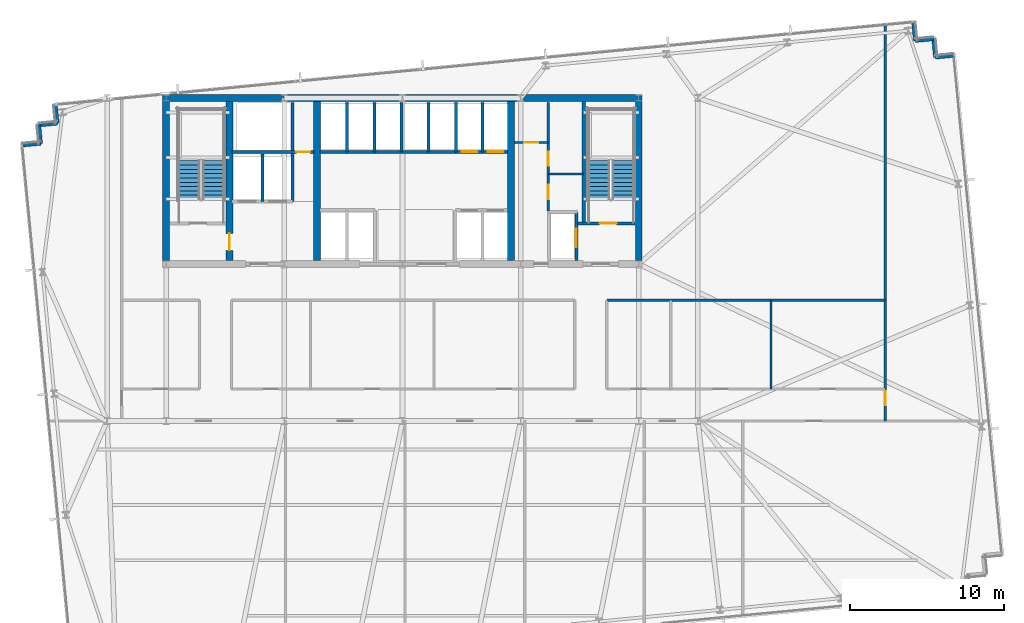
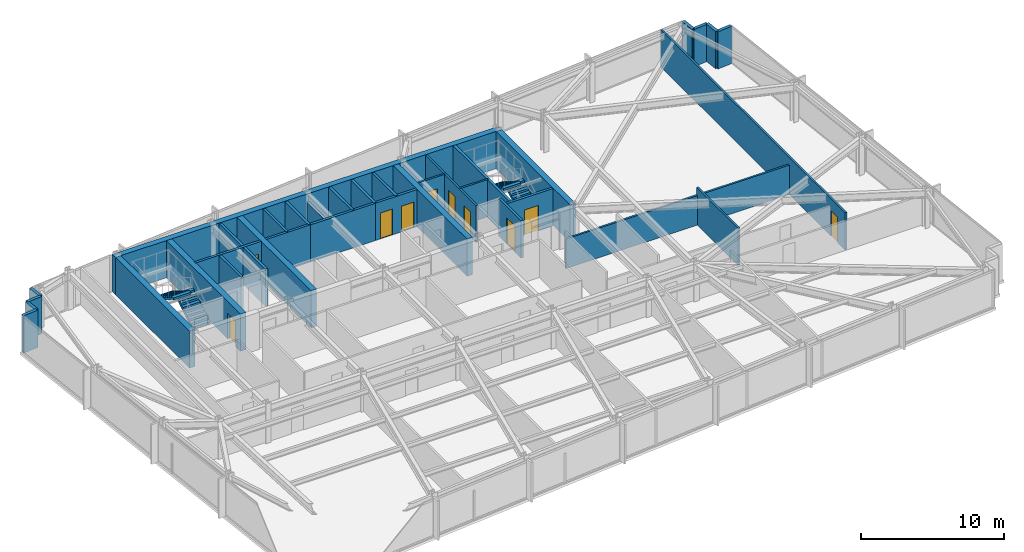
# One storey, part 26 of 32: 35 walls, 10 doors, 4 stair flights, 10 openings, 2 elements without a shape of their own.
"""IFC4 building model written with IfcOpenShell, lengths in metres."""

import ifcopenshell
import ifcopenshell.guid

model = None  # the IFC model being written
_history = None  # IfcOwnerHistory: only IFC2X3 demands one
_inside = {}  # id of a spatial element -> (the spatial element, [elements in it])
_under = {}  # id of a project, library or spatial element -> (it, [spatial elements below it])
_declared = {}  # id of a project -> (the project, [libraries it declares])
_typed = {}  # id of a type object -> (the type object, [elements of that type])
_made_of = {}  # id of a material, layer set ... -> (it, [elements and type objects made of it])


def new_model(schema):
    """Start an empty IFC model of exactly this schema.

    Asked for "IFC4X3", IfcOpenShell would pick the latest addendum, in which some entities
    have other attributes; the version numbers below select the first issue.
    IFC2X3 requires an IfcOwnerHistory on every rooted entity: one is made here for all.
    """
    global model, _history
    if schema == "IFC4X3":
        model = ifcopenshell.file(schema_version=(4, 3, 0, 0))
    else:
        model = ifcopenshell.file(schema=schema)
    _inside.clear()
    _under.clear()
    _declared.clear()
    _typed.clear()
    _made_of.clear()
    _history = None
    if model.schema == "IFC2X3":
        org = make("IfcOrganization", Name="unknown")
        user = make(
            "IfcPersonAndOrganization",
            ThePerson=make("IfcPerson", FamilyName="unknown"),
            TheOrganization=org,
        )
        app = make(
            "IfcApplication",
            ApplicationDeveloper=org,
            Version="unknown",
            ApplicationFullName="unknown",
            ApplicationIdentifier="unknown",
        )
        _history = make(
            "IfcOwnerHistory",
            OwningUser=user,
            OwningApplication=app,
            ChangeAction="ADDED",
            CreationDate=0,
        )
    return model


def make(cls, **values):
    """One entity of the class cls with the attributes given. An attribute that is None is left unset."""
    return model.create_entity(
        cls, **{name: value for name, value in values.items() if value is not None}
    )


def rooted(cls, **values):
    """An entity with a GlobalId (a new one), such as an element, a storey or a relation."""
    return make(cls, GlobalId=ifcopenshell.guid.new(), OwnerHistory=_history, **values)


def si_unit(unit_type, name, prefix=None):
    """IfcSIUnit, for example si_unit("LENGTHUNIT", "METRE", prefix="MILLI")."""
    return make("IfcSIUnit", UnitType=unit_type, Prefix=prefix, Name=name)


def assignment(units):
    """IfcUnitAssignment: the units of a project."""
    return None if units is None else make("IfcUnitAssignment", Units=units)


def point(xyz):
    """IfcCartesianPoint."""
    return None if xyz is None else make("IfcCartesianPoint", Coordinates=xyz)


def direction(xyz):
    """IfcDirection."""
    return None if xyz is None else make("IfcDirection", DirectionRatios=xyz)


def frame(location, z_axis=None, x_axis=None):
    """IfcAxis2Placement3D, a coordinate frame: its origin and axes. An axis left out is left unset."""
    return make(
        "IfcAxis2Placement3D",
        Location=point(location),
        Axis=direction(z_axis),
        RefDirection=direction(x_axis),
    )


def frame_2d(location, x_axis=None):
    """IfcAxis2Placement2D, a coordinate frame in the plane: its origin and x axis."""
    return make(
        "IfcAxis2Placement2D", Location=point(location), RefDirection=direction(x_axis)
    )


def origin():
    """The frame at (0, 0, 0) with its axes left unset."""
    return frame((0.0, 0.0, 0.0))


def place(relative_to, where):
    """IfcLocalPlacement: puts the frame where relative to a parent placement (None: the world)."""
    return make(
        "IfcLocalPlacement", PlacementRelTo=relative_to, RelativePlacement=where
    )


def context(
    kind, dimensions, precision=None, world=None, true_north=None, identifier=None
):
    """IfcGeometricRepresentationContext, for example the 3D "Model" context."""
    return make(
        "IfcGeometricRepresentationContext",
        ContextIdentifier=identifier,
        ContextType=kind,
        CoordinateSpaceDimension=dimensions,
        Precision=precision,
        WorldCoordinateSystem=world,
        TrueNorth=true_north,
    )


def subcontext(parent, identifier, kind, view, scale=None):
    """IfcGeometricRepresentationSubContext, for example "Body" below "Model"."""
    return make(
        "IfcGeometricRepresentationSubContext",
        ContextIdentifier=identifier,
        ContextType=kind,
        ParentContext=parent,
        TargetScale=scale,
        TargetView=view,
    )


def project(units=None, contexts=None):
    """IfcProject with its units and contexts."""
    return rooted(
        "IfcProject",
        Name="project",
        RepresentationContexts=contexts,
        UnitsInContext=assignment(units),
    )


def spatial(cls, under=None, at=None, **own):
    """A site, building, storey or space (cls), placed at a placement, below another one or the project."""
    s = rooted(cls, ObjectPlacement=at, **own)
    if under is not None:
        _under.setdefault(under.id(), (under, []))[1].append(s)
    return s


def polyline(points):
    """IfcPolyline through the points."""
    return make("IfcPolyline", Points=[point(p) for p in points])


def profile(cls, at=None, kind="AREA", **sizes):
    """A parametric profile (cls). Its sizes go by their IFC names, for example OverallWidth=200.0."""
    return make(cls, ProfileType=kind, Position=at, **sizes)


def rectangle(**sizes):
    """IfcRectangleProfileDef."""
    return profile("IfcRectangleProfileDef", **sizes)


def outline(outer, holes=None, kind="AREA"):
    """IfcArbitraryClosedProfileDef: a profile drawn as a closed curve; with holes, ...WithVoids."""
    if holes is None:
        return make("IfcArbitraryClosedProfileDef", ProfileType=kind, OuterCurve=outer)
    return make(
        "IfcArbitraryProfileDefWithVoids",
        ProfileType=kind,
        OuterCurve=outer,
        InnerCurves=holes,
    )


def extrude(swept, where, along, depth):
    """IfcExtrudedAreaSolid: the profile swept, set in the frame where, extruded along a direction by depth."""
    return make(
        "IfcExtrudedAreaSolid",
        SweptArea=swept,
        Position=where,
        ExtrudedDirection=direction(along),
        Depth=depth,
    )


def shape(context_of_items, identifier, shape_type, items):
    """IfcShapeRepresentation: the items that make up one representation, for example the "Body"."""
    return make(
        "IfcShapeRepresentation",
        ContextOfItems=context_of_items,
        RepresentationIdentifier=identifier,
        RepresentationType=shape_type,
        Items=items,
    )


def material(Name=None, Category=None):
    """IfcMaterial."""
    return make("IfcMaterial", Name=Name, Category=Category)


def layer(
    of_material, thickness, ventilated=None, Name=None, Category=None, Priority=None
):
    """IfcMaterialLayer: one layer of a wall or slab, of a material (None: an air gap)."""
    return make(
        "IfcMaterialLayer",
        Material=of_material,
        LayerThickness=thickness,
        IsVentilated=ventilated,
        Name=Name,
        Category=Category,
        Priority=Priority,
    )


def layer_set(layers, Name=None):
    """IfcMaterialLayerSet."""
    return make("IfcMaterialLayerSet", MaterialLayers=layers, LayerSetName=Name)


def made_of(thing, what):
    """Note that an element or type object is made of a material, layer set ...; save() writes the relation."""
    if what is not None:
        _made_of.setdefault(what.id(), (what, []))[1].append(thing)
    return thing


def type_object(cls, material=None, **own):
    """A type object (cls), such as IfcWallType, which elements share."""
    return made_of(rooted(cls, **own), material)


def element(
    cls,
    number,
    at=None,
    inside=None,
    cuts=None,
    type_object=None,
    material=None,
    context=None,
    identifier="Body",
    shape_type=None,
    held_by="IfcProductDefinitionShape",
    body=None,
    shapes=None,
    **own,
):
    """One element of the class cls, such as IfcWall. Its Tag is "e" and its number.

    at: its placement. inside: the storey or other place that contains it. cuts: it is an
    opening in that element (IfcRelVoidsElement). A single representation is given by context,
    identifier, shape_type and body (its items); several are given by shapes. held_by: the class
    of the entity that holds the representations. save() writes the other relations.
    """
    e = rooted(cls, Tag="e%d" % number, ObjectPlacement=at, **own)
    if body is not None:
        shapes = [shape(context, identifier, shape_type, body)]
    if shapes is not None:
        e.Representation = make(held_by, Representations=shapes)
    if inside is not None:
        _inside.setdefault(inside.id(), (inside, []))[1].append(e)
    if cuts is not None:
        rooted(
            "IfcRelVoidsElement", RelatingBuildingElement=cuts, RelatedOpeningElement=e
        )
    if type_object is not None:
        _typed.setdefault(type_object.id(), (type_object, []))[1].append(e)
    return made_of(e, material)


def fill(opening, filler):
    """IfcRelFillsElement: the door or window that sits in an opening."""
    return rooted(
        "IfcRelFillsElement",
        RelatingOpeningElement=opening,
        RelatedBuildingElement=filler,
    )


def aggregate(whole, parts):
    """IfcRelAggregates: a whole, such as a stair, and the parts it consists of."""
    return rooted("IfcRelAggregates", RelatingObject=whole, RelatedObjects=parts)


def save(model, path):
    """Write the relations noted so far, then the file.

    IfcRelAggregates (storeys below a building ...), IfcRelContainedInSpatialStructure (elements
    in a storey), IfcRelDefinesByType, IfcRelAssociatesMaterial and IfcRelDeclares: one each for
    every whole, place, type object, material and project.
    """
    for whole, parts in _under.values():
        aggregate(whole, parts)
    for where, things in _inside.values():
        rooted(
            "IfcRelContainedInSpatialStructure",
            RelatedElements=things,
            RelatingStructure=where,
        )
    for kind, things in _typed.values():
        rooted("IfcRelDefinesByType", RelatedObjects=things, RelatingType=kind)
    for what, things in _made_of.values():
        rooted("IfcRelAssociatesMaterial", RelatedObjects=things, RelatingMaterial=what)
    for by, libraries in _declared.values():
        rooted("IfcRelDeclares", RelatingContext=by, RelatedDefinitions=libraries)
    model.write(path)


model = new_model("IFC4")

# Units and contexts
model_context = context("Model", 3, precision=1e-05, world=origin(), true_north=direction((0.0, 1.0)))
body_context = subcontext(model_context, "Body", "Model", "MODEL_VIEW")
ifc_project = project(units=[si_unit("LENGTHUNIT", "METRE"), si_unit("AREAUNIT", "SQUARE_METRE"), si_unit("VOLUMEUNIT", "CUBIC_METRE"), si_unit("PLANEANGLEUNIT", "RADIAN"), si_unit("MASSUNIT", "GRAM", prefix="KILO")], contexts=[model_context])

# Site, building, storey
site_placement = place(None, origin())
site = spatial("IfcSite", under=ifc_project, at=site_placement, CompositionType="ELEMENT")
building_placement = place(site_placement, origin())
building = spatial("IfcBuilding", under=site, at=building_placement, Name="Yelkora Congress Tower", CompositionType="ELEMENT")
storey_placement = place(building_placement, frame((0.0, 0.0, 93.10009765625)))
storey = spatial("IfcBuildingStorey", under=building, at=storey_placement, Name="L24", CompositionType="ELEMENT", Elevation=93.10009765625)

# Walls
ifc_material_1 = material(Name="Concrete C50/60", Category="concrete")
ifc_layer_1 = layer(ifc_material_1, 0.219970703125)
ifc_layer_set_1 = layer_set([ifc_layer_1], Name="Concrete C50/60")
wall_type_1 = type_object("IfcWallType", Name="WALL-CORE-INT-220", PredefinedType="SHEAR", material=ifc_layer_set_1)
wall_1_placement = place(storey_placement, frame((50.179931640625, 38.050048828125, 0.0), z_axis=(0.0, 0.0, 1.0), x_axis=(0.0, 1.0, 0.0)))
element("IfcWall", 1, at=wall_1_placement, inside=storey, type_object=wall_type_1, Name="L24 ST02 West Stair Shear Wall", PredefinedType="SHEAR", context=body_context, shape_type="SweptSolid", body=[
    extrude(rectangle(XDim=7.925048828125, YDim=0.219970703125, at=frame_2d((3.96240234375, 0.0))), origin(), (0.0, 0.0, 1.0), 3.179931640625),
])
ifc_material_2 = material(Name="Concrete C60/75", Category="concrete")
ifc_layer_2 = layer(ifc_material_2, 0.449951171875)
ifc_layer_set_2 = layer_set([ifc_layer_2], Name="Concrete C60/75")
wall_type_2 = type_object("IfcWallType", Name="WALL-CORE-INT-450", PredefinedType="SHEAR", material=ifc_layer_set_2)
wall_2_placement = place(storey_placement, frame((22.81494140625, 46.199951171875, 0.0), z_axis=(0.0, 0.0, 1.0), x_axis=(1.0, 0.0, 0.0)))
element("IfcWall", 2, at=wall_2_placement, inside=storey, type_object=wall_type_2, Name="L24 Rear Core North Shear Wall", PredefinedType="SHEAR", context=body_context, shape_type="SweptSolid", body=[
    extrude(rectangle(XDim=31.170166015625, YDim=0.449951171875, at=frame_2d((15.5849609375, 0.0))), origin(), (0.0, 0.0, 1.0), 3.179931640625),
])
wall_3_placement = place(storey_placement, frame((23.0400390625, 35.625, 0.0), z_axis=(0.0, 0.0, 1.0), x_axis=(0.0, 1.0, 0.0)))
element("IfcWall", 3, at=wall_3_placement, inside=storey, type_object=wall_type_2, Name="L24 Rear Core Cross Shear Wall W", PredefinedType="SHEAR", context=body_context, shape_type="SweptSolid", body=[
    extrude(rectangle(XDim=10.35009765625, YDim=0.449951171875, at=frame_2d((5.175048828125, 0.0))), origin(), (0.0, 0.0, 1.0), 3.179931640625),
])

# Wall, opening, door
wall_4_placement = place(storey_placement, frame((27.14990234375, 35.625, 0.0), z_axis=(0.0, 0.0, 1.0), x_axis=(0.0, 1.0, 0.0)))
wall_4 = element("IfcWall", 4, at=wall_4_placement, inside=storey, type_object=wall_type_2, Name="L24 Rear Core Cross Shear Wall C1", PredefinedType="SHEAR", context=body_context, shape_type="SweptSolid", body=[
    extrude(rectangle(XDim=10.35009765625, YDim=0.449951171875, at=frame_2d((5.175048828125, 0.0))), origin(), (0.0, 0.0, 1.0), 3.179931640625),
])
opening_1_placement = place(wall_4_placement, frame((0.675048828125, 0.0, 0.0)))
opening_1 = element("IfcOpeningElement", 5, at=opening_1_placement, cuts=wall_4, Name="Opening DR-110F9", PredefinedType="OPENING", context=body_context, shape_type="SweptSolid", body=[
    extrude(rectangle(XDim=1.10009765625, YDim=2.14990234375, at=frame_2d((0.550048828125, 1.074951171875))), frame((0.0, 0.23486328125, 0.0), z_axis=(0.0, -1.0, 0.0), x_axis=(1.0, 0.0, 0.0)), (0.0, 0.0, 1.0), 0.469970703125),
])
ifc_material_3 = material(Name="Galvanised steel fire door leaf", Category="steel")
door_type_1 = type_object("IfcDoorType", Name="DOOR-FD90-1100", OperationType="NOTDEFINED", PredefinedType="DOOR", material=ifc_material_3)
door_1_placement = place(opening_1_placement, origin())
door_1 = element("IfcDoor", 6, at=door_1_placement, inside=storey, type_object=door_type_1, Name="L24 Firefighting Stair Transfer Door", OperationType="SINGLE_SWING_LEFT", OverallHeight=2.14990234375, OverallWidth=1.10009765625, PredefinedType="DOOR", context=body_context, shape_type="SweptSolid", body=[
    extrude(rectangle(XDim=1.10009765625, YDim=2.14990234375, at=frame_2d((0.550048828125, 1.074951171875))), frame((0.0, 0.02490234375, 0.0), z_axis=(0.0, -1.0, 0.0), x_axis=(1.0, 0.0, 0.0)), (0.0, 0.0, 1.0), 0.050048828125),
])
fill(opening_1, door_1)

# Walls
for number, where, z_axis, x_axis, name in (
    (7, (32.85009765625, 35.625, 0.0), (0.0, 0.0, 1.0), (0.0, 1.0, 0.0), "L24 Rear Core Cross Shear Wall C2"),
    (8, (45.449951171875, 35.625, 0.0), (0.0, 0.0, 1.0), (0.0, 1.0, 0.0), "L24 Rear Core Cross Shear Wall C3"),
    (9, (53.760009765625, 35.625, 0.0), (0.0, 0.0, 1.0), (0.0, 1.0, 0.0), "L24 Rear Core Cross Shear Wall E"),
):
    element("IfcWall", number, at=place(storey_placement, frame(where, z_axis=z_axis, x_axis=x_axis)), inside=storey, type_object=wall_type_2, Name=name, PredefinedType="SHEAR", context=body_context, shape_type="SweptSolid", body=[
        extrude(rectangle(XDim=10.35009765625, YDim=0.449951171875, at=frame_2d((5.175048828125, 0.0))), origin(), (0.0, 0.0, 1.0), 3.179931640625),
    ])
ifc_material_4 = material(Name="Concrete C40/50", Category="concrete")
ifc_layer_3 = layer(ifc_material_4, 0.239990234375)
ifc_layer_set_3 = layer_set([ifc_layer_3], Name="Concrete C40/50")
wall_type_3 = type_object("IfcWallType", Name="WALL-EXT-LIMESTONE-240", PredefinedType="SOLIDWALL", material=ifc_layer_set_3)
for number, where, z_axis, x_axis, name in (
    (10, (13.69091796875, 43.126708984375, 0.0), (0.0, 0.0, 1.0), (0.995398960025, 0.095817067274, 0.0), "L24 Serrated Corner Limestone Pier 6"),
    (11, (14.885498046875, 43.24169921875, 0.0), (0.0, 0.0, 1.0), (-0.095817067274, 0.995398960025, 0.0), "L24 Serrated Corner Limestone Pier 7"),
):
    element("IfcWall", number, at=place(storey_placement, frame(where, z_axis=z_axis, x_axis=x_axis)), inside=storey, type_object=wall_type_3, Name=name, PredefinedType="SOLIDWALL", context=body_context, shape_type="SweptSolid", body=[
        extrude(rectangle(XDim=1.2001953125, YDim=0.239990234375, at=frame_2d((0.60009765625, 0.0))), origin(), (0.0, 0.0, 1.0), 3.179931640625),
    ])
for number, where, z_axis, x_axis, name in (
    (12, (14.7705078125, 44.436279296875, 0.0), (0.0, 0.0, 1.0), (0.995397091755, 0.095836473879, 0.0), "L24 Serrated Corner Limestone Pier 8"),
    (13, (15.96484375, 44.55126953125, 0.0), (0.0, 0.0, 1.0), (-0.095836473879, 0.995397091755, 0.0), "L24 Serrated Corner Limestone Pier 9"),
):
    element("IfcWall", number, at=place(storey_placement, frame(where, z_axis=z_axis, x_axis=x_axis)), inside=storey, type_object=wall_type_3, Name=name, PredefinedType="SOLIDWALL", context=body_context, shape_type="SweptSolid", body=[
        extrude(rectangle(XDim=1.199951171875, YDim=0.239990234375, at=frame_2d((0.60009765625, 0.0))), origin(), (0.0, 0.0, 1.0), 3.179931640625),
    ])
for number, where, z_axis, x_axis, name in (
    (14, (71.61181640625, 51.114990234375, 0.0), (0.0, 0.0, 1.0), (0.095817067274, -0.995398960025, 0.0), "L24 Serrated Corner Limestone Pier 11"),
    (15, (71.726806640625, 49.92041015625, 0.0), (0.0, 0.0, 1.0), (0.995398960025, 0.095817067274, 0.0), "L24 Serrated Corner Limestone Pier 12"),
    (16, (72.92138671875, 50.035400390625, 0.0), (0.0, 0.0, 1.0), (0.095817067274, -0.995398960025, 0.0), "L24 Serrated Corner Limestone Pier 13"),
    (17, (73.036376953125, 48.8408203125, 0.0), (0.0, 0.0, 1.0), (0.995379537303, 0.096018626938, 0.0), "L24 Serrated Corner Limestone Pier 14"),
):
    element("IfcWall", number, at=place(storey_placement, frame(where, z_axis=z_axis, x_axis=x_axis)), inside=storey, type_object=wall_type_3, Name=name, PredefinedType="SOLIDWALL", context=body_context, shape_type="SweptSolid", body=[
        extrude(rectangle(XDim=1.2001953125, YDim=0.239990234375, at=frame_2d((0.60009765625, 0.0))), origin(), (0.0, 0.0, 1.0), 3.179931640625),
    ])

# Wall, opening, door
ifc_material_5 = material(Name="Acoustic metal-stud gypsum partition", Category="gypsum")
ifc_layer_4 = layer(ifc_material_5, 0.14990234375)
ifc_layer_set_4 = layer_set([ifc_layer_4], Name="Acoustic metal-stud gypsum partition")
wall_type_4 = type_object("IfcWallType", Name="WALL-INT-150-NR", PredefinedType="PARTITIONING", material=ifc_layer_set_4)
wall_5_placement = place(storey_placement, frame((45.679931640625, 43.31005859375, 0.0), z_axis=(0.0, 0.0, 1.0), x_axis=(1.0, 0.0, 0.0)))
wall_5 = element("IfcWall", 18, at=wall_5_placement, inside=storey, type_object=wall_type_4, Name="L24 Partition Wall 28", PredefinedType="PARTITIONING", context=body_context, shape_type="SweptSolid", body=[
    extrude(rectangle(XDim=2.199951171875, YDim=0.14990234375, at=frame_2d((1.10009765625, 0.0))), origin(), (0.0, 0.0, 1.0), 3.179931640625),
])
opening_2_placement = place(wall_5_placement, frame((0.64990234375, 0.0, 0.0)))
opening_2 = element("IfcOpeningElement", 19, at=opening_2_placement, cuts=wall_5, Name="Opening DR-090N", PredefinedType="OPENING", context=body_context, shape_type="SweptSolid", body=[
    extrude(rectangle(XDim=0.89990234375, YDim=2.14990234375, at=frame_2d((0.449951171875, 1.074951171875))), frame((0.0, 0.0849609375, 0.0), z_axis=(0.0, -1.0, 0.0), x_axis=(1.0, 0.0, 0.0)), (0.0, 0.0, 1.0), 0.169921875),
])
ifc_material_6 = material(Name="Moisture-resistant laminate door leaf", Category="wood")
door_type_2 = type_object("IfcDoorType", Name="DOOR-INT-900", OperationType="NOTDEFINED", PredefinedType="DOOR", material=ifc_material_6)
door_2_placement = place(opening_2_placement, origin())
door_2 = element("IfcDoor", 20, at=door_2_placement, inside=storey, type_object=door_type_2, Name="L24 Male WC Door", OperationType="SINGLE_SWING_RIGHT", OverallHeight=2.14990234375, OverallWidth=0.89990234375, PredefinedType="DOOR", context=body_context, shape_type="SweptSolid", body=[
    extrude(rectangle(XDim=0.89990234375, YDim=2.14990234375, at=frame_2d((0.449951171875, 1.074951171875))), frame((0.0, 0.02490234375, 0.0), z_axis=(0.0, -1.0, 0.0), x_axis=(1.0, 0.0, 0.0)), (0.0, 0.0, 1.0), 0.050048828125),
])
fill(opening_2, door_2)

# Wall
wall_6_placement = place(storey_placement, frame((47.8798828125, 41.260009765625, 0.0), z_axis=(0.0, 0.0, 1.0), x_axis=(1.0, 0.0, 0.0)))
element("IfcWall", 21, at=wall_6_placement, inside=storey, type_object=wall_type_4, Name="L24 Partition Wall 29", PredefinedType="PARTITIONING", context=body_context, shape_type="SweptSolid", body=[
    extrude(rectangle(XDim=2.300048828125, YDim=0.14990234375, at=frame_2d((1.14990234375, 0.0))), origin(), (0.0, 0.0, 1.0), 3.179931640625),
])

# Wall, openings, doors
wall_7_placement = place(storey_placement, frame((47.8798828125, 38.85009765625, 0.0), z_axis=(0.0, 0.0, 1.0), x_axis=(0.0, 1.0, 0.0)))
wall_7 = element("IfcWall", 22, at=wall_7_placement, inside=storey, type_object=wall_type_4, Name="L24 Partition Wall 30", PredefinedType="PARTITIONING", context=body_context, shape_type="SweptSolid", body=[
    extrude(rectangle(XDim=7.06982421875, YDim=0.14990234375, at=frame_2d((3.534912109375, 0.0))), origin(), (0.0, 0.0, 1.0), 3.179931640625),
])
opening_3_placement = place(wall_7_placement, frame((0.75, 0.0, 0.0)))
opening_3 = element("IfcOpeningElement", 23, at=opening_3_placement, cuts=wall_7, Name="Opening DR-095N", PredefinedType="OPENING", context=body_context, shape_type="SweptSolid", body=[
    extrude(rectangle(XDim=0.949951171875, YDim=2.14990234375, at=frame_2d((0.47509765625, 1.074951171875))), frame((0.0, 0.0849609375, 0.0), z_axis=(0.0, -1.0, 0.0), x_axis=(1.0, 0.0, 0.0)), (0.0, 0.0, 1.0), 0.169921875),
])
opening_4_placement = place(wall_7_placement, frame((2.949951171875, 0.0, 0.0)))
opening_4 = element("IfcOpeningElement", 24, at=opening_4_placement, cuts=wall_7, Name="Opening DR-090N", PredefinedType="OPENING", context=body_context, shape_type="SweptSolid", body=[
    extrude(rectangle(XDim=0.89990234375, YDim=2.14990234375, at=frame_2d((0.449951171875, 1.074951171875))), frame((0.0, 0.0849609375, 0.0), z_axis=(0.0, -1.0, 0.0), x_axis=(1.0, 0.0, 0.0)), (0.0, 0.0, 1.0), 0.169921875),
])
door_3_placement = place(opening_4_placement, origin())
door_3 = element("IfcDoor", 25, at=door_3_placement, inside=storey, type_object=door_type_2, Name="L24 Female WC Door", OperationType="SINGLE_SWING_RIGHT", OverallHeight=2.14990234375, OverallWidth=0.89990234375, PredefinedType="DOOR", context=body_context, shape_type="SweptSolid", body=[
    extrude(rectangle(XDim=0.89990234375, YDim=2.14990234375, at=frame_2d((0.449951171875, 1.074951171875))), frame((0.0, 0.02490234375, 0.0), z_axis=(0.0, -1.0, 0.0), x_axis=(1.0, 0.0, 0.0)), (0.0, 0.0, 1.0), 0.050048828125),
])
fill(opening_4, door_3)
ifc_material_7 = material(Name="Acoustic laminated timber office door", Category="wood")
door_type_3 = type_object("IfcDoorType", Name="DOOR-INT-950", OperationType="NOTDEFINED", PredefinedType="DOOR", material=ifc_material_7)
door_4_placement = place(opening_3_placement, origin())
door_4 = element("IfcDoor", 26, at=door_4_placement, inside=storey, type_object=door_type_3, Name="L24 Accessible WC Door", OperationType="SINGLE_SWING_LEFT", OverallHeight=2.14990234375, OverallWidth=0.949951171875, PredefinedType="DOOR", context=body_context, shape_type="SweptSolid", body=[
    extrude(rectangle(XDim=0.949951171875, YDim=2.14990234375, at=frame_2d((0.47509765625, 1.074951171875))), frame((0.0, 0.02490234375, 0.0), z_axis=(0.0, -1.0, 0.0), x_axis=(1.0, 0.0, 0.0)), (0.0, 0.0, 1.0), 0.050048828125),
])
fill(opening_3, door_4)

# Wall, opening, door
wall_8_placement = place(storey_placement, frame((69.779052734375, 25.199951171875, 0.0), z_axis=(0.0, 0.0, 1.0), x_axis=(0.0, 1.0, 0.0)))
wall_8 = element("IfcWall", 27, at=wall_8_placement, inside=storey, type_object=wall_type_4, Name="L24 Partition Wall 38", PredefinedType="PARTITIONING", context=body_context, shape_type="SweptSolid", body=[
    extrude(rectangle(XDim=25.798828125, YDim=0.14990234375, at=frame_2d((12.8994140625, 0.0))), origin(), (0.0, 0.0, 1.0), 3.179931640625),
])
opening_5_placement = place(wall_8_placement, frame((1.030029296875, 0.0, 0.0)))
opening_5 = element("IfcOpeningElement", 28, at=opening_5_placement, cuts=wall_8, Name="Opening DR-090N", PredefinedType="OPENING", context=body_context, shape_type="SweptSolid", body=[
    extrude(rectangle(XDim=0.89990234375, YDim=2.14990234375, at=frame_2d((0.449951171875, 1.074951171875))), frame((0.0, 0.0849609375, 0.0), z_axis=(0.0, -1.0, 0.0), x_axis=(1.0, 0.0, 0.0)), (0.0, 0.0, 1.0), 0.169921875),
])
door_5_placement = place(opening_5_placement, origin())
door_5 = element("IfcDoor", 29, at=door_5_placement, inside=storey, type_object=door_type_2, Name="L24 E Wing Door", OperationType="SINGLE_SWING_RIGHT", OverallHeight=2.14990234375, OverallWidth=0.89990234375, PredefinedType="DOOR", context=body_context, shape_type="SweptSolid", body=[
    extrude(rectangle(XDim=0.89990234375, YDim=2.14990234375, at=frame_2d((0.449951171875, 1.074951171875))), frame((0.0, 0.02490234375, 0.0), z_axis=(0.0, -1.0, 0.0), x_axis=(1.0, 0.0, 0.0)), (0.0, 0.0, 1.0), 0.050048828125),
])
fill(opening_5, door_5)

# Walls
wall_9_placement = place(storey_placement, frame((51.679931640625, 33.050048828125, 0.0), z_axis=(0.0, 0.0, 1.0), x_axis=(1.0, 0.0, 0.0)))
element("IfcWall", 30, at=wall_9_placement, inside=storey, type_object=wall_type_4, Name="L24 Partition Wall 45", PredefinedType="PARTITIONING", context=body_context, shape_type="SweptSolid", body=[
    extrude(rectangle(XDim=18.09912109375, YDim=0.14990234375, at=frame_2d((9.049560546875, 0.0))), origin(), (0.0, 0.0, 1.0), 2.52490234375),
])
wall_10_placement = place(storey_placement, frame((62.35107421875, 27.280029296875, 0.0), z_axis=(0.0, 0.0, 1.0), x_axis=(0.0, 1.0, 0.0)))
element("IfcWall", 31, at=wall_10_placement, inside=storey, type_object=wall_type_4, Name="L24 Partition Wall 51", PredefinedType="PARTITIONING", context=body_context, shape_type="SweptSolid", body=[
    extrude(rectangle(XDim=5.77001953125, YDim=0.14990234375, at=frame_2d((2.885009765625, 0.0))), origin(), (0.0, 0.0, 1.0), 3.179931640625),
])
ifc_material_8 = material(Name="Autoclaved aerated concrete blockwork", Category="masonry")
ifc_layer_5 = layer(ifc_material_8, 0.199951171875)
ifc_layer_set_5 = layer_set([ifc_layer_5], Name="Autoclaved aerated concrete blockwork")
wall_type_5 = type_object("IfcWallType", Name="WALL-INT-200-R120", PredefinedType="PARTITIONING", material=ifc_layer_set_5)
wall_11_placement = place(storey_placement, frame((29.300048828125, 39.47998046875, 0.0), z_axis=(0.0, 0.0, 1.0), x_axis=(0.0, 1.0, 0.0)))
element("IfcWall", 32, at=wall_11_placement, inside=storey, type_object=wall_type_5, Name="L24 Partition Wall 4", PredefinedType="PARTITIONING", context=body_context, shape_type="SweptSolid", body=[
    extrude(rectangle(XDim=3.070068359375, YDim=0.199951171875, at=frame_2d((1.53515625, 0.0))), origin(), (0.0, 0.0, 1.0), 3.179931640625),
])
wall_12_placement = place(storey_placement, frame((31.260009765625, 39.47998046875, 0.0), z_axis=(0.0, 0.0, 1.0), x_axis=(0.0, 1.0, 0.0)))
element("IfcWall", 33, at=wall_12_placement, inside=storey, type_object=wall_type_5, Name="L24 Partition Wall 5", PredefinedType="PARTITIONING", context=body_context, shape_type="SweptSolid", body=[
    extrude(rectangle(XDim=6.43994140625, YDim=0.199951171875, at=frame_2d((3.219970703125, 0.0))), origin(), (0.0, 0.0, 1.0), 3.179931640625),
])

# Wall, opening, door
wall_13_placement = place(storey_placement, frame((27.320068359375, 42.679931640625, 0.0), z_axis=(0.0, 0.0, 1.0), x_axis=(1.0, 0.0, 0.0)))
wall_13 = element("IfcWall", 34, at=wall_13_placement, inside=storey, type_object=wall_type_5, Name="L24 Smoke Riser South Wall", PredefinedType="PARTITIONING", context=body_context, shape_type="SweptSolid", body=[
    extrude(rectangle(XDim=5.329833984375, YDim=0.199951171875, at=frame_2d((2.6650390625, 0.0))), origin(), (0.0, 0.0, 1.0), 3.179931640625),
])
opening_6_placement = place(wall_13_placement, frame((4.179931640625, 0.0, 0.0)))
opening_6 = element("IfcOpeningElement", 35, at=opening_6_placement, cuts=wall_13, Name="Opening DR-090F6", PredefinedType="OPENING", context=body_context, shape_type="SweptSolid", body=[
    extrude(rectangle(XDim=0.89990234375, YDim=2.14990234375, at=frame_2d((0.449951171875, 1.074951171875))), frame((0.0, 0.10986328125, 0.0), z_axis=(0.0, -1.0, 0.0), x_axis=(1.0, 0.0, 0.0)), (0.0, 0.0, 1.0), 0.219970703125),
])
ifc_material_9 = material(Name="Painted steel riser fire door leaf", Category="steel")
door_type_4 = type_object("IfcDoorType", Name="DOOR-FD60-900", OperationType="NOTDEFINED", PredefinedType="DOOR", material=ifc_material_9)
door_6_placement = place(opening_6_placement, origin())
door_6 = element("IfcDoor", 36, at=door_6_placement, inside=storey, type_object=door_type_4, Name="L24 Riser Access Door", OperationType="SINGLE_SWING_LEFT", OverallHeight=2.14990234375, OverallWidth=0.89990234375, PredefinedType="DOOR", context=body_context, shape_type="SweptSolid", body=[
    extrude(rectangle(XDim=0.89990234375, YDim=2.14990234375, at=frame_2d((0.449951171875, 1.074951171875))), frame((0.0, 0.02490234375, 0.0), z_axis=(0.0, -1.0, 0.0), x_axis=(1.0, 0.0, 0.0)), (0.0, 0.0, 1.0), 0.050048828125),
])
fill(opening_6, door_6)

# Walls
wall_14_placement = place(storey_placement, frame((36.60009765625, 42.699951171875, 0.0), z_axis=(0.0, 0.0, 1.0), x_axis=(1.0, 0.0, 0.0)))
element("IfcWall", 37, at=wall_14_placement, inside=storey, type_object=wall_type_5, Name="L24 Partition Wall 8", PredefinedType="PARTITIONING", context=body_context, shape_type="SweptSolid", body=[
    extrude(rectangle(XDim=5.25, YDim=0.199951171875, at=frame_2d((2.625, 0.0))), origin(), (0.0, 0.0, 1.0), 3.179931640625),
])
wall_15_placement = place(storey_placement, frame((38.35009765625, 42.699951171875, 0.0), z_axis=(0.0, 0.0, 1.0), x_axis=(0.0, 1.0, 0.0)))
element("IfcWall", 38, at=wall_15_placement, inside=storey, type_object=wall_type_5, Name="L24 Partition Wall 9", PredefinedType="PARTITIONING", context=body_context, shape_type="SweptSolid", body=[
    extrude(rectangle(XDim=3.219970703125, YDim=0.199951171875, at=frame_2d((1.60986328125, 0.0))), origin(), (0.0, 0.0, 1.0), 2.52490234375),
])
wall_16_placement = place(storey_placement, frame((40.10009765625, 42.699951171875, 0.0), z_axis=(0.0, 0.0, 1.0), x_axis=(0.0, 1.0, 0.0)))
element("IfcWall", 39, at=wall_16_placement, inside=storey, type_object=wall_type_5, Name="L24 Partition Wall 10", PredefinedType="PARTITIONING", context=body_context, shape_type="SweptSolid", body=[
    extrude(rectangle(XDim=3.219970703125, YDim=0.199951171875, at=frame_2d((1.60986328125, 0.0))), origin(), (0.0, 0.0, 1.0), 3.179931640625),
])
wall_17_placement = place(storey_placement, frame((33.050048828125, 42.699951171875, 0.0), z_axis=(0.0, 0.0, 1.0), x_axis=(1.0, 0.0, 0.0)))
element("IfcWall", 40, at=wall_17_placement, inside=storey, type_object=wall_type_5, Name="L24 Partition Wall 12", PredefinedType="PARTITIONING", context=body_context, shape_type="SweptSolid", body=[
    extrude(rectangle(XDim=3.570068359375, YDim=0.199951171875, at=frame_2d((1.78515625, 0.0))), origin(), (0.0, 0.0, 1.0), 3.179931640625),
])
for number, where, z_axis, x_axis, name in (
    (41, (34.800048828125, 42.699951171875, 0.0), (0.0, 0.0, 1.0), (0.0, 1.0, 0.0), "L24 Partition Wall 14"),
    (42, (36.580078125, 42.699951171875, 0.0), (0.0, 0.0, 1.0), (0.0, 1.0, 0.0), "L24 Partition Wall 16"),
):
    element("IfcWall", number, at=place(storey_placement, frame(where, z_axis=z_axis, x_axis=x_axis)), inside=storey, type_object=wall_type_5, Name=name, PredefinedType="PARTITIONING", context=body_context, shape_type="SweptSolid", body=[
        extrude(rectangle(XDim=3.219970703125, YDim=0.199951171875, at=frame_2d((1.60986328125, 0.0))), origin(), (0.0, 0.0, 1.0), 3.179931640625),
    ])

# Wall, openings, doors
wall_18_placement = place(storey_placement, frame((41.85009765625, 42.699951171875, 0.0), z_axis=(0.0, 0.0, 1.0), x_axis=(1.0, 0.0, 0.0)))
wall_18 = element("IfcWall", 43, at=wall_18_placement, inside=storey, type_object=wall_type_5, Name="L24 Partition Wall 18", PredefinedType="PARTITIONING", context=body_context, shape_type="SweptSolid", body=[
    extrude(rectangle(XDim=3.369873046875, YDim=0.199951171875, at=frame_2d((1.68505859375, 0.0))), origin(), (0.0, 0.0, 1.0), 3.179931640625),
])
opening_7_placement = place(wall_18_placement, frame((0.39990234375, 0.0, 0.0)))
opening_7 = element("IfcOpeningElement", 44, at=opening_7_placement, cuts=wall_18, Name="Opening LD-PS10", PredefinedType="OPENING", context=body_context, shape_type="SweptSolid", body=[
    extrude(rectangle(XDim=1.0, YDim=2.199951171875, at=frame_2d((0.5, 1.10009765625))), frame((0.0, 0.10986328125, 0.0), z_axis=(0.0, -1.0, 0.0), x_axis=(1.0, 0.0, 0.0)), (0.0, 0.0, 1.0), 0.219970703125),
])
opening_8_placement = place(wall_18_placement, frame((2.10009765625, 0.0, 0.0)))
opening_8 = element("IfcOpeningElement", 45, at=opening_8_placement, cuts=wall_18, Name="Opening LD-PS10", PredefinedType="OPENING", context=body_context, shape_type="SweptSolid", body=[
    extrude(rectangle(XDim=1.0, YDim=2.199951171875, at=frame_2d((0.5, 1.10009765625))), frame((0.0, 0.10986328125, 0.0), z_axis=(0.0, -1.0, 0.0), x_axis=(1.0, 0.0, 0.0)), (0.0, 0.0, 1.0), 0.219970703125),
])
ifc_material_10 = material(Name="Champagne stainless steel landing door", Category="steel")
door_type_5 = type_object("IfcDoorType", Name="DOOR-LIFT-PAS-1000", OperationType="DOUBLE_DOOR_SLIDING", PredefinedType="DOOR", material=ifc_material_10)
door_7_placement = place(opening_7_placement, origin())
door_7 = element("IfcDoor", 46, at=door_7_placement, inside=storey, type_object=door_type_5, Name="Lift Landing Door LF-P7 L24", OperationType="DOUBLE_DOOR_SLIDING", OverallHeight=2.199951171875, OverallWidth=1.0, PredefinedType="DOOR", context=body_context, shape_type="SweptSolid", body=[
    extrude(rectangle(XDim=1.0, YDim=2.199951171875, at=frame_2d((0.5, 1.10009765625))), frame((0.0, 0.02490234375, 0.0), z_axis=(0.0, -1.0, 0.0), x_axis=(1.0, 0.0, 0.0)), (0.0, 0.0, 1.0), 0.050048828125),
])
fill(opening_7, door_7)
door_8_placement = place(opening_8_placement, origin())
door_8 = element("IfcDoor", 47, at=door_8_placement, inside=storey, type_object=door_type_5, Name="Lift Landing Door LF-P8 L24", OperationType="DOUBLE_DOOR_SLIDING", OverallHeight=2.199951171875, OverallWidth=1.0, PredefinedType="DOOR", context=body_context, shape_type="SweptSolid", body=[
    extrude(rectangle(XDim=1.0, YDim=2.199951171875, at=frame_2d((0.5, 1.10009765625))), frame((0.0, 0.02490234375, 0.0), z_axis=(0.0, -1.0, 0.0), x_axis=(1.0, 0.0, 0.0)), (0.0, 0.0, 1.0), 0.050048828125),
])
fill(opening_8, door_8)

# Walls
for number, where, z_axis, x_axis, name in (
    (48, (43.60009765625, 42.699951171875, 0.0), (0.0, 0.0, 1.0), (0.0, 1.0, 0.0), "L24 Partition Wall 20"),
    (49, (41.8798828125, 42.699951171875, 0.0), (0.0, 0.0, 1.0), (0.0, 1.0, 0.0), "L24 Partition Wall 22"),
):
    element("IfcWall", number, at=place(storey_placement, frame(where, z_axis=z_axis, x_axis=x_axis)), inside=storey, type_object=wall_type_5, Name=name, PredefinedType="PARTITIONING", context=body_context, shape_type="SweptSolid", body=[
        extrude(rectangle(XDim=3.219970703125, YDim=0.199951171875, at=frame_2d((1.60986328125, 0.0))), origin(), (0.0, 0.0, 1.0), 3.179931640625),
    ])

# Wall, opening, door
wall_19_placement = place(storey_placement, frame((49.780029296875, 38.050048828125, 0.0), z_axis=(0.0, 0.0, 1.0), x_axis=(1.0, 0.0, 0.0)))
wall_19 = element("IfcWall", 50, at=wall_19_placement, inside=storey, type_object=wall_type_5, Name="L24 Stair ST-02 Enclosure Wall", PredefinedType="PARTITIONING", context=body_context, shape_type="SweptSolid", body=[
    extrude(rectangle(XDim=3.719970703125, YDim=0.199951171875, at=frame_2d((1.85986328125, 0.0))), origin(), (0.0, 0.0, 1.0), 3.179931640625),
])
opening_9_placement = place(wall_19_placement, frame((1.436279296875, 0.0, 0.0)))
opening_9 = element("IfcOpeningElement", 51, at=opening_9_placement, cuts=wall_19, Name="Opening DR-110F9", PredefinedType="OPENING", context=body_context, shape_type="SweptSolid", body=[
    extrude(rectangle(XDim=1.10009765625, YDim=2.14990234375, at=frame_2d((0.550048828125, 1.074951171875))), frame((0.0, 0.10986328125, 0.0), z_axis=(0.0, -1.0, 0.0), x_axis=(1.0, 0.0, 0.0)), (0.0, 0.0, 1.0), 0.219970703125),
])
door_9_placement = place(opening_9_placement, origin())
door_9 = element("IfcDoor", 52, at=door_9_placement, inside=storey, type_object=door_type_1, Name="L24 Stair ST-02 Entry Door", OperationType="SINGLE_SWING_LEFT", OverallHeight=2.14990234375, OverallWidth=1.10009765625, PredefinedType="DOOR", context=body_context, shape_type="SweptSolid", body=[
    extrude(rectangle(XDim=1.10009765625, YDim=2.14990234375, at=frame_2d((0.550048828125, 1.074951171875))), frame((0.0, 0.02490234375, 0.0), z_axis=(0.0, -1.0, 0.0), x_axis=(1.0, 0.0, 0.0)), (0.0, 0.0, 1.0), 0.050048828125),
])
fill(opening_9, door_9)

wall_20_placement = place(storey_placement, frame((49.699951171875, 35.64990234375, 0.0), z_axis=(0.0, 0.0, 1.0), x_axis=(0.0, 1.0, 0.0)))
wall_20 = element("IfcWall", 53, at=wall_20_placement, inside=storey, type_object=wall_type_5, Name="L24 Partition Wall 25", PredefinedType="PARTITIONING", context=body_context, shape_type="SweptSolid", body=[
    extrude(rectangle(XDim=3.150146484375, YDim=0.199951171875, at=frame_2d((1.5751953125, 0.0))), origin(), (0.0, 0.0, 1.0), 3.179931640625),
])
opening_10_placement = place(wall_20_placement, frame((0.85009765625, 0.0, 0.0)))
opening_10 = element("IfcOpeningElement", 54, at=opening_10_placement, cuts=wall_20, Name="Opening LD-SV12", PredefinedType="OPENING", context=body_context, shape_type="SweptSolid", body=[
    extrude(rectangle(XDim=1.199951171875, YDim=2.199951171875, at=frame_2d((0.60009765625, 1.10009765625))), frame((0.0, 0.10986328125, 0.0), z_axis=(0.0, -1.0, 0.0), x_axis=(1.0, 0.0, 0.0)), (0.0, 0.0, 1.0), 0.219970703125),
])
ifc_material_11 = material(Name="Heavy-duty stainless steel landing door", Category="steel")
door_type_6 = type_object("IfcDoorType", Name="DOOR-LIFT-SRV-1200", OperationType="DOUBLE_DOOR_SLIDING", PredefinedType="DOOR", material=ifc_material_11)
door_10_placement = place(opening_10_placement, origin())
door_10 = element("IfcDoor", 55, at=door_10_placement, inside=storey, type_object=door_type_6, Name="Service Lift Landing Door LF-SV1 L24", OperationType="DOUBLE_DOOR_SLIDING", OverallHeight=2.199951171875, OverallWidth=1.199951171875, PredefinedType="DOOR", context=body_context, shape_type="SweptSolid", body=[
    extrude(rectangle(XDim=1.199951171875, YDim=2.199951171875, at=frame_2d((0.60009765625, 1.10009765625))), frame((0.0, 0.02490234375, 0.0), z_axis=(0.0, -1.0, 0.0), x_axis=(1.0, 0.0, 0.0)), (0.0, 0.0, 1.0), 0.050048828125),
])
fill(opening_10, door_10)

# Stair, stair flights
stair_type = type_object("IfcStairType", Name="STAIR-HT-1420-R20-170", PredefinedType="HALF_TURN_STAIR", material=ifc_material_4)
stair_1_placement = place(storey_placement, origin())
stair_1 = element("IfcStair", 56, at=stair_1_placement, inside=storey, type_object=stair_type, Name="West Core Protected Exit Stair ST-01 (L24)", PredefinedType="HALF_TURN_STAIR")
stair_flight_type = type_object("IfcStairFlightType", Name="FLIGHT-1420-N10-R170-G280", PredefinedType="STRAIGHT", material=ifc_material_4)
stair_flight_1_placement = place(storey_placement, frame((26.110107421875, 39.60009765625, 0.0), z_axis=(0.0, 0.0, 1.0), x_axis=(0.0, 1.0, 0.0)))
stair_flight_1 = element("IfcStairFlight", 57, at=stair_flight_1_placement, type_object=stair_flight_type, Name="ST-01 L24 Flight 1", NumberOfRisers=10, NumberOfTreads=9, PredefinedType="STRAIGHT", RiserHeight=0.17, TreadLength=0.28, context=body_context, shape_type="SweptSolid", body=[
    extrude(outline(polyline([(0.0, 0.0), (0.0, 0.169921875), (0.280029296875, 0.169921875), (0.280029296875, 0.340087890625), (0.56005859375, 0.340087890625), (0.56005859375, 0.510009765625), (0.840087890625, 0.510009765625), (0.840087890625, 0.679931640625), (1.1201171875, 0.679931640625), (1.1201171875, 0.85009765625), (1.39990234375, 0.85009765625), (1.39990234375, 1.02001953125), (1.679931640625, 1.02001953125), (1.679931640625, 1.18994140625), (1.9599609375, 1.18994140625), (1.9599609375, 1.360107421875), (2.239990234375, 1.360107421875), (2.239990234375, 1.530029296875), (2.52001953125, 1.530029296875), (2.52001953125, 1.699951171875), (2.52001953125, 1.343017578125), (0.30810546875, 0.0), (0.0, 0.0)])), frame((0.0, 0.7099609375, 0.0), z_axis=(0.0, -1.0, 0.0), x_axis=(1.0, 0.0, 0.0)), (0.0, 0.0, 1.0), 1.419921875),
])
stair_flight_2_placement = place(storey_placement, frame((24.530029296875, 42.1201171875, 1.699951171875), z_axis=(0.0, 0.0, 1.0), x_axis=(0.0, -1.0, 0.0)))
stair_flight_2 = element("IfcStairFlight", 58, at=stair_flight_2_placement, type_object=stair_flight_type, Name="ST-01 L24 Flight 2", NumberOfRisers=10, NumberOfTreads=9, PredefinedType="STRAIGHT", RiserHeight=0.17, TreadLength=0.28, context=body_context, shape_type="SweptSolid", body=[
    extrude(outline(polyline([(0.0, 0.0), (0.0, 0.169921875), (0.280029296875, 0.169921875), (0.280029296875, 0.340087890625), (0.56005859375, 0.340087890625), (0.56005859375, 0.510009765625), (0.840087890625, 0.510009765625), (0.840087890625, 0.679931640625), (1.1201171875, 0.679931640625), (1.1201171875, 0.85009765625), (1.39990234375, 0.85009765625), (1.39990234375, 1.02001953125), (1.679931640625, 1.02001953125), (1.679931640625, 1.18994140625), (1.9599609375, 1.18994140625), (1.9599609375, 1.360107421875), (2.239990234375, 1.360107421875), (2.239990234375, 1.530029296875), (2.52001953125, 1.530029296875), (2.52001953125, 1.699951171875), (2.52001953125, 1.343017578125), (0.30810546875, 0.0), (0.0, 0.0)])), frame((0.0, 0.7099609375, 0.0), z_axis=(0.0, -1.0, 0.0), x_axis=(1.0, 0.0, 0.0)), (0.0, 0.0, 1.0), 1.419921875),
])
aggregate(stair_1, [stair_flight_1, stair_flight_2])

stair_2_placement = place(storey_placement, origin())
stair_2 = element("IfcStair", 59, at=stair_2_placement, inside=storey, type_object=stair_type, Name="East Core Protected Exit Stair ST-02 (L24)", PredefinedType="HALF_TURN_STAIR")
stair_flight_3_placement = place(storey_placement, frame((52.75, 39.60009765625, 0.0), z_axis=(0.0, 0.0, 1.0), x_axis=(0.0, 1.0, 0.0)))
stair_flight_3 = element("IfcStairFlight", 60, at=stair_flight_3_placement, type_object=stair_flight_type, Name="ST-02 L24 Flight 1", NumberOfRisers=10, NumberOfTreads=9, PredefinedType="STRAIGHT", RiserHeight=0.17, TreadLength=0.28, context=body_context, shape_type="SweptSolid", body=[
    extrude(outline(polyline([(0.0, 0.0), (0.0, 0.169921875), (0.280029296875, 0.169921875), (0.280029296875, 0.340087890625), (0.56005859375, 0.340087890625), (0.56005859375, 0.510009765625), (0.840087890625, 0.510009765625), (0.840087890625, 0.679931640625), (1.1201171875, 0.679931640625), (1.1201171875, 0.85009765625), (1.39990234375, 0.85009765625), (1.39990234375, 1.02001953125), (1.679931640625, 1.02001953125), (1.679931640625, 1.18994140625), (1.9599609375, 1.18994140625), (1.9599609375, 1.360107421875), (2.239990234375, 1.360107421875), (2.239990234375, 1.530029296875), (2.52001953125, 1.530029296875), (2.52001953125, 1.699951171875), (2.52001953125, 1.343017578125), (0.30810546875, 0.0), (0.0, 0.0)])), frame((0.0, 0.7099609375, 0.0), z_axis=(0.0, -1.0, 0.0), x_axis=(1.0, 0.0, 0.0)), (0.0, 0.0, 1.0), 1.419921875),
])
stair_flight_4_placement = place(storey_placement, frame((51.169921875, 42.1201171875, 1.699951171875), z_axis=(0.0, 0.0, 1.0), x_axis=(0.0, -1.0, 0.0)))
stair_flight_4 = element("IfcStairFlight", 61, at=stair_flight_4_placement, type_object=stair_flight_type, Name="ST-02 L24 Flight 2", NumberOfRisers=10, NumberOfTreads=9, PredefinedType="STRAIGHT", RiserHeight=0.17, TreadLength=0.28, context=body_context, shape_type="SweptSolid", body=[
    extrude(outline(polyline([(0.0, 0.0), (0.0, 0.169921875), (0.280029296875, 0.169921875), (0.280029296875, 0.340087890625), (0.56005859375, 0.340087890625), (0.56005859375, 0.510009765625), (0.840087890625, 0.510009765625), (0.840087890625, 0.679931640625), (1.1201171875, 0.679931640625), (1.1201171875, 0.85009765625), (1.39990234375, 0.85009765625), (1.39990234375, 1.02001953125), (1.679931640625, 1.02001953125), (1.679931640625, 1.18994140625), (1.9599609375, 1.18994140625), (1.9599609375, 1.360107421875), (2.239990234375, 1.360107421875), (2.239990234375, 1.530029296875), (2.52001953125, 1.530029296875), (2.52001953125, 1.699951171875), (2.52001953125, 1.343017578125), (0.30810546875, 0.0), (0.0, 0.0)])), frame((0.0, 0.7099609375, 0.0), z_axis=(0.0, -1.0, 0.0), x_axis=(1.0, 0.0, 0.0)), (0.0, 0.0, 1.0), 1.419921875),
])
aggregate(stair_2, [stair_flight_3, stair_flight_4])

save(model, "model.ifc")
